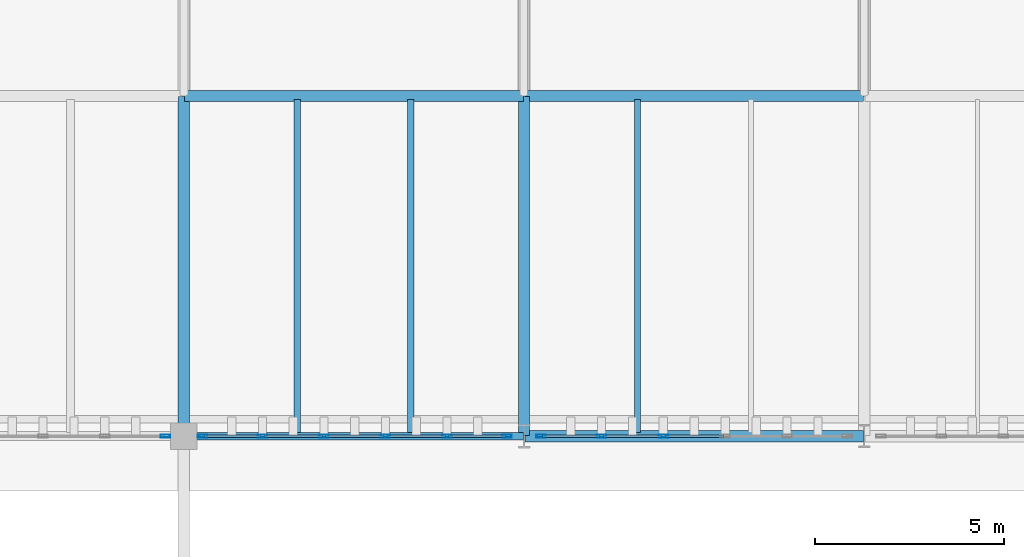
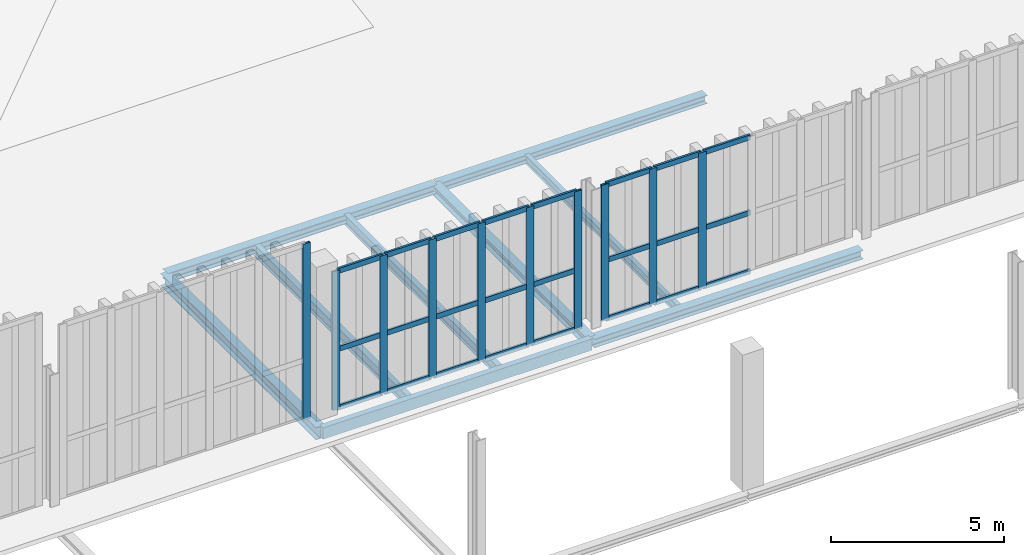
# One storey, part 20 of 196: 34 members, 9 beams, 3 elements without a shape of their own.
"""IFC4 building model written with IfcOpenShell, lengths in metres."""

from ifc_helpers import new_model, si_unit, direction, frame, origin, origin_2d, place, context, subcontext, project, spatial, hollow_rectangle, i_section, extrude, material, layer, layer_set, material_profile, profile_set, type_object, element, aggregate, save


model = new_model("IFC4")

# Units and contexts
model_context = context("Model", 3, precision=1e-05, world=origin(), true_north=direction((0.0, 1.0)))
body_context = subcontext(model_context, "Body", "Model", "MODEL_VIEW")
ifc_project = project(units=[si_unit("LENGTHUNIT", "METRE"), si_unit("AREAUNIT", "SQUARE_METRE"), si_unit("VOLUMEUNIT", "CUBIC_METRE"), si_unit("PLANEANGLEUNIT", "RADIAN"), si_unit("MASSUNIT", "GRAM", prefix="KILO")], contexts=[model_context])

# Site, building, storey
site_placement = place(None, origin())
site = spatial("IfcSite", under=ifc_project, at=site_placement, CompositionType="ELEMENT")
building_placement = place(site_placement, origin())
building = spatial("IfcBuilding", under=site, at=building_placement, Name="Barlavento Convention Centre", CompositionType="ELEMENT")
storey_placement = place(building_placement, frame((0.0, 0.0, 18.0)))
storey = spatial("IfcBuildingStorey", under=building, at=storey_placement, Name="L03", CompositionType="ELEMENT", Elevation=18.0)

# Curtain wall, member
ifc_material_1 = material(Name="Powder-coated aluminium and Low-E glass", Category="aluminium")
ifc_layer = layer(ifc_material_1, 0.18994140625)
ifc_layer_set = layer_set([ifc_layer], Name="ARC-CW-CONG-L02")
curtain_wall_type = type_object("IfcCurtainWallType", Name="ARC-CW-CONG-L02", PredefinedType="NOTDEFINED", material=ifc_layer_set)
curtain_wall_1_placement = place(storey_placement, origin())
curtain_wall_1 = element("IfcCurtainWall", 1, at=curtain_wall_1_placement, inside=storey, type_object=curtain_wall_type, Name="L03 unitised curtain wall CW02", PredefinedType="NOTDEFINED")
ifc_material_2 = material(Name="Powder-coated aluminium", Category="aluminium")
ifc_material_profile_1 = material_profile(ifc_material_2, hollow_rectangle(XDim=0.074951171875, YDim=0.25, WallThickness=0.006103515625, at=origin_2d()), Name="AL-MULL 75x250x6")
ifc_profile_set_1 = profile_set([ifc_material_profile_1], Name="Powder-coated aluminium")
member_type_1 = type_object("IfcMemberType", Name="ARC-CWM-75X250", PredefinedType="MULLION", material=ifc_profile_set_1)
member_1_placement = place(storey_placement, frame((17.507568359375, 54.0, 0.10009765625), z_axis=(0.0, 0.0, 1.0), x_axis=(0.0, 1.0, 0.0)))
member_1 = element("IfcMember", 2, at=member_1_placement, type_object=member_type_1, Name="CW02 mullion 6", PredefinedType="MULLION", context=body_context, shape_type="SweptSolid", body=[
    extrude(hollow_rectangle(XDim=0.074951171875, YDim=0.25, WallThickness=0.006103515625, at=origin_2d()), origin(), (0.0, 0.0, 1.0), 6.19287109375),
])
aggregate(curtain_wall_1, [member_1])

# Curtain wall, members
curtain_wall_2_placement = place(storey_placement, origin())
curtain_wall_2 = element("IfcCurtainWall", 3, at=curtain_wall_2_placement, inside=storey, type_object=curtain_wall_type, Name="L03 unitised curtain wall CW02", PredefinedType="NOTDEFINED")
member_2_placement = place(storey_placement, frame((18.492431640625, 54.0, 0.10009765625), z_axis=(0.0, 0.0, 1.0), x_axis=(0.0, 1.0, 0.0)))
member_2 = element("IfcMember", 4, at=member_2_placement, type_object=member_type_1, Name="CW02 mullion 1", PredefinedType="MULLION", context=body_context, shape_type="SweptSolid", body=[
    extrude(hollow_rectangle(XDim=0.074951171875, YDim=0.25, WallThickness=0.006103515625, at=origin_2d()), origin(), (0.0, 0.0, 1.0), 4.8759765625),
])
member_3_placement = place(storey_placement, frame((20.0810546875, 54.0, 0.10009765625), z_axis=(0.0, 0.0, 1.0), x_axis=(0.0, 1.0, 0.0)))
member_3 = element("IfcMember", 5, at=member_3_placement, type_object=member_type_1, Name="CW02 mullion 2", PredefinedType="MULLION", context=body_context, shape_type="SweptSolid", body=[
    extrude(hollow_rectangle(XDim=0.074951171875, YDim=0.25, WallThickness=0.006103515625, at=origin_2d()), origin(), (0.0, 0.0, 1.0), 4.8759765625),
])
member_4_placement = place(storey_placement, frame((21.70703125, 54.0, 0.10009765625), z_axis=(0.0, 0.0, 1.0), x_axis=(0.0, 1.0, 0.0)))
member_4 = element("IfcMember", 6, at=member_4_placement, type_object=member_type_1, Name="CW02 mullion 3", PredefinedType="MULLION", context=body_context, shape_type="SweptSolid", body=[
    extrude(hollow_rectangle(XDim=0.074951171875, YDim=0.25, WallThickness=0.006103515625, at=origin_2d()), origin(), (0.0, 0.0, 1.0), 4.8759765625),
])
member_5_placement = place(storey_placement, frame((23.3330078125, 54.0, 0.10009765625), z_axis=(0.0, 0.0, 1.0), x_axis=(0.0, 1.0, 0.0)))
member_5 = element("IfcMember", 7, at=member_5_placement, type_object=member_type_1, Name="CW02 mullion 4", PredefinedType="MULLION", context=body_context, shape_type="SweptSolid", body=[
    extrude(hollow_rectangle(XDim=0.074951171875, YDim=0.25, WallThickness=0.006103515625, at=origin_2d()), origin(), (0.0, 0.0, 1.0), 4.8759765625),
])
member_6_placement = place(storey_placement, frame((24.958984375, 54.0, 0.10009765625), z_axis=(0.0, 0.0, 1.0), x_axis=(0.0, 1.0, 0.0)))
member_6 = element("IfcMember", 8, at=member_6_placement, type_object=member_type_1, Name="CW02 mullion 5", PredefinedType="MULLION", context=body_context, shape_type="SweptSolid", body=[
    extrude(hollow_rectangle(XDim=0.074951171875, YDim=0.25, WallThickness=0.006103515625, at=origin_2d()), origin(), (0.0, 0.0, 1.0), 4.8759765625),
])
member_7_placement = place(storey_placement, frame((26.547607421875, 54.0, 0.10009765625), z_axis=(0.0, 0.0, 1.0), x_axis=(0.0, 1.0, 0.0)))
member_7 = element("IfcMember", 9, at=member_7_placement, type_object=member_type_1, Name="CW02 mullion 6", PredefinedType="MULLION", context=body_context, shape_type="SweptSolid", body=[
    extrude(hollow_rectangle(XDim=0.074951171875, YDim=0.25, WallThickness=0.006103515625, at=origin_2d()), origin(), (0.0, 0.0, 1.0), 4.8759765625),
])

curtain_wall_3_placement = place(storey_placement, origin())
curtain_wall_3 = element("IfcCurtainWall", 10, at=curtain_wall_3_placement, inside=storey, type_object=curtain_wall_type, Name="L03 unitised curtain wall CW02", PredefinedType="NOTDEFINED")
member_8_placement = place(storey_placement, frame((27.452392578125, 54.0, 0.10009765625), z_axis=(0.0, 0.0, 1.0), x_axis=(0.0, 1.0, 0.0)))
member_8 = element("IfcMember", 11, at=member_8_placement, type_object=member_type_1, Name="CW02 mullion 1", PredefinedType="MULLION", context=body_context, shape_type="SweptSolid", body=[
    extrude(hollow_rectangle(XDim=0.074951171875, YDim=0.25, WallThickness=0.006103515625, at=origin_2d()), origin(), (0.0, 0.0, 1.0), 4.788818359375),
])
member_9_placement = place(storey_placement, frame((29.051025390625, 54.0, 0.10009765625), z_axis=(0.0, 0.0, 1.0), x_axis=(0.0, 1.0, 0.0)))
member_9 = element("IfcMember", 12, at=member_9_placement, type_object=member_type_1, Name="CW02 mullion 2", PredefinedType="MULLION", context=body_context, shape_type="SweptSolid", body=[
    extrude(hollow_rectangle(XDim=0.074951171875, YDim=0.25, WallThickness=0.006103515625, at=origin_2d()), origin(), (0.0, 0.0, 1.0), 4.788818359375),
])
member_10_placement = place(storey_placement, frame((30.68701171875, 54.0, 0.10009765625), z_axis=(0.0, 0.0, 1.0), x_axis=(0.0, 1.0, 0.0)))
member_10 = element("IfcMember", 13, at=member_10_placement, type_object=member_type_1, Name="CW02 mullion 3", PredefinedType="MULLION", context=body_context, shape_type="SweptSolid", body=[
    extrude(hollow_rectangle(XDim=0.074951171875, YDim=0.25, WallThickness=0.006103515625, at=origin_2d()), origin(), (0.0, 0.0, 1.0), 4.788818359375),
])

# Member
ifc_material_profile_2 = material_profile(ifc_material_2, hollow_rectangle(XDim=0.070068359375, YDim=0.179931640625, WallThickness=0.0048828125, at=origin_2d()), Name="AL-TRAN 70x180x5")
ifc_profile_set_2 = profile_set([ifc_material_profile_2], Name="Powder-coated aluminium")
member_type_2 = type_object("IfcMemberType", Name="ARC-CWT-70X180", PredefinedType="USERDEFINED", material=ifc_profile_set_2)
member_11_placement = place(storey_placement, frame((18.530029296875, 54.0, 0.135009765625), z_axis=(1.0, 0.0, 0.0), x_axis=(0.0, 1.0, 0.0)))
member_11 = element("IfcMember", 14, at=member_11_placement, type_object=member_type_2, Name="CW02 transom 1.1", ObjectType="TRANSOM", PredefinedType="USERDEFINED", context=body_context, shape_type="SweptSolid", body=[
    extrude(hollow_rectangle(XDim=0.070068359375, YDim=0.179931640625, WallThickness=0.0048828125, at=origin_2d()), origin(), (0.0, 0.0, 1.0), 1.513427734375),
])

member_12_placement = place(storey_placement, frame((18.530029296875, 54.0, 2.199951171875), z_axis=(1.0, 0.0, 0.0), x_axis=(0.0, 1.0, 0.0)))
member_12 = element("IfcMember", 15, at=member_12_placement, type_object=member_type_2, Name="CW02 transom 1.2", ObjectType="TRANSOM", PredefinedType="USERDEFINED", context=body_context, shape_type="SweptSolid", body=[
    extrude(hollow_rectangle(XDim=0.070068359375, YDim=0.179931640625, WallThickness=0.0048828125, at=origin_2d()), origin(), (0.0, 0.0, 1.0), 1.513427734375),
])

member_13_placement = place(storey_placement, frame((18.530029296875, 54.0, 4.94091796875), z_axis=(1.0, 0.0, 0.0), x_axis=(0.0, 1.0, 0.0)))
member_13 = element("IfcMember", 16, at=member_13_placement, type_object=member_type_2, Name="CW02 transom 1.3", ObjectType="TRANSOM", PredefinedType="USERDEFINED", context=body_context, shape_type="SweptSolid", body=[
    extrude(hollow_rectangle(XDim=0.070068359375, YDim=0.179931640625, WallThickness=0.0048828125, at=origin_2d()), origin(), (0.0, 0.0, 1.0), 1.513427734375),
])

member_14_placement = place(storey_placement, frame((20.118408203125, 54.0, 0.135009765625), z_axis=(1.0, 0.0, 0.0), x_axis=(0.0, 1.0, 0.0)))
member_14 = element("IfcMember", 17, at=member_14_placement, type_object=member_type_2, Name="CW02 transom 2.1", ObjectType="TRANSOM", PredefinedType="USERDEFINED", context=body_context, shape_type="SweptSolid", body=[
    extrude(hollow_rectangle(XDim=0.070068359375, YDim=0.179931640625, WallThickness=0.0048828125, at=origin_2d()), origin(), (0.0, 0.0, 1.0), 1.551025390625),
])

member_15_placement = place(storey_placement, frame((20.118408203125, 54.0, 2.199951171875), z_axis=(1.0, 0.0, 0.0), x_axis=(0.0, 1.0, 0.0)))
member_15 = element("IfcMember", 18, at=member_15_placement, type_object=member_type_2, Name="CW02 transom 2.2", ObjectType="TRANSOM", PredefinedType="USERDEFINED", context=body_context, shape_type="SweptSolid", body=[
    extrude(hollow_rectangle(XDim=0.070068359375, YDim=0.179931640625, WallThickness=0.0048828125, at=origin_2d()), origin(), (0.0, 0.0, 1.0), 1.551025390625),
])

member_16_placement = place(storey_placement, frame((20.118408203125, 54.0, 4.94091796875), z_axis=(1.0, 0.0, 0.0), x_axis=(0.0, 1.0, 0.0)))
member_16 = element("IfcMember", 19, at=member_16_placement, type_object=member_type_2, Name="CW02 transom 2.3", ObjectType="TRANSOM", PredefinedType="USERDEFINED", context=body_context, shape_type="SweptSolid", body=[
    extrude(hollow_rectangle(XDim=0.070068359375, YDim=0.179931640625, WallThickness=0.0048828125, at=origin_2d()), origin(), (0.0, 0.0, 1.0), 1.551025390625),
])

member_17_placement = place(storey_placement, frame((21.744384765625, 54.0, 0.135009765625), z_axis=(1.0, 0.0, 0.0), x_axis=(0.0, 1.0, 0.0)))
member_17 = element("IfcMember", 20, at=member_17_placement, type_object=member_type_2, Name="CW02 transom 3.1", ObjectType="TRANSOM", PredefinedType="USERDEFINED", context=body_context, shape_type="SweptSolid", body=[
    extrude(hollow_rectangle(XDim=0.070068359375, YDim=0.179931640625, WallThickness=0.0048828125, at=origin_2d()), origin(), (0.0, 0.0, 1.0), 1.551025390625),
])

member_18_placement = place(storey_placement, frame((21.744384765625, 54.0, 2.199951171875), z_axis=(1.0, 0.0, 0.0), x_axis=(0.0, 1.0, 0.0)))
member_18 = element("IfcMember", 21, at=member_18_placement, type_object=member_type_2, Name="CW02 transom 3.2", ObjectType="TRANSOM", PredefinedType="USERDEFINED", context=body_context, shape_type="SweptSolid", body=[
    extrude(hollow_rectangle(XDim=0.070068359375, YDim=0.179931640625, WallThickness=0.0048828125, at=origin_2d()), origin(), (0.0, 0.0, 1.0), 1.551025390625),
])

member_19_placement = place(storey_placement, frame((21.744384765625, 54.0, 4.94091796875), z_axis=(1.0, 0.0, 0.0), x_axis=(0.0, 1.0, 0.0)))
member_19 = element("IfcMember", 22, at=member_19_placement, type_object=member_type_2, Name="CW02 transom 3.3", ObjectType="TRANSOM", PredefinedType="USERDEFINED", context=body_context, shape_type="SweptSolid", body=[
    extrude(hollow_rectangle(XDim=0.070068359375, YDim=0.179931640625, WallThickness=0.0048828125, at=origin_2d()), origin(), (0.0, 0.0, 1.0), 1.551025390625),
])

member_20_placement = place(storey_placement, frame((23.37060546875, 54.0, 0.135009765625), z_axis=(1.0, 0.0, 0.0), x_axis=(0.0, 1.0, 0.0)))
member_20 = element("IfcMember", 23, at=member_20_placement, type_object=member_type_2, Name="CW02 transom 4.1", ObjectType="TRANSOM", PredefinedType="USERDEFINED", context=body_context, shape_type="SweptSolid", body=[
    extrude(hollow_rectangle(XDim=0.070068359375, YDim=0.179931640625, WallThickness=0.0048828125, at=origin_2d()), origin(), (0.0, 0.0, 1.0), 1.55078125),
])

member_21_placement = place(storey_placement, frame((23.37060546875, 54.0, 2.199951171875), z_axis=(1.0, 0.0, 0.0), x_axis=(0.0, 1.0, 0.0)))
member_21 = element("IfcMember", 24, at=member_21_placement, type_object=member_type_2, Name="CW02 transom 4.2", ObjectType="TRANSOM", PredefinedType="USERDEFINED", context=body_context, shape_type="SweptSolid", body=[
    extrude(hollow_rectangle(XDim=0.070068359375, YDim=0.179931640625, WallThickness=0.0048828125, at=origin_2d()), origin(), (0.0, 0.0, 1.0), 1.55078125),
])

member_22_placement = place(storey_placement, frame((23.37060546875, 54.0, 4.94091796875), z_axis=(1.0, 0.0, 0.0), x_axis=(0.0, 1.0, 0.0)))
member_22 = element("IfcMember", 25, at=member_22_placement, type_object=member_type_2, Name="CW02 transom 4.3", ObjectType="TRANSOM", PredefinedType="USERDEFINED", context=body_context, shape_type="SweptSolid", body=[
    extrude(hollow_rectangle(XDim=0.070068359375, YDim=0.179931640625, WallThickness=0.0048828125, at=origin_2d()), origin(), (0.0, 0.0, 1.0), 1.55078125),
])

member_23_placement = place(storey_placement, frame((24.99658203125, 54.0, 0.135009765625), z_axis=(1.0, 0.0, 0.0), x_axis=(0.0, 1.0, 0.0)))
member_23 = element("IfcMember", 26, at=member_23_placement, type_object=member_type_2, Name="CW02 transom 5.1", ObjectType="TRANSOM", PredefinedType="USERDEFINED", context=body_context, shape_type="SweptSolid", body=[
    extrude(hollow_rectangle(XDim=0.070068359375, YDim=0.179931640625, WallThickness=0.0048828125, at=origin_2d()), origin(), (0.0, 0.0, 1.0), 1.513427734375),
])

member_24_placement = place(storey_placement, frame((24.99658203125, 54.0, 2.199951171875), z_axis=(1.0, 0.0, 0.0), x_axis=(0.0, 1.0, 0.0)))
member_24 = element("IfcMember", 27, at=member_24_placement, type_object=member_type_2, Name="CW02 transom 5.2", ObjectType="TRANSOM", PredefinedType="USERDEFINED", context=body_context, shape_type="SweptSolid", body=[
    extrude(hollow_rectangle(XDim=0.070068359375, YDim=0.179931640625, WallThickness=0.0048828125, at=origin_2d()), origin(), (0.0, 0.0, 1.0), 1.513427734375),
])

member_25_placement = place(storey_placement, frame((24.99658203125, 54.0, 4.94091796875), z_axis=(1.0, 0.0, 0.0), x_axis=(0.0, 1.0, 0.0)))
member_25 = element("IfcMember", 28, at=member_25_placement, type_object=member_type_2, Name="CW02 transom 5.3", ObjectType="TRANSOM", PredefinedType="USERDEFINED", context=body_context, shape_type="SweptSolid", body=[
    extrude(hollow_rectangle(XDim=0.070068359375, YDim=0.179931640625, WallThickness=0.0048828125, at=origin_2d()), origin(), (0.0, 0.0, 1.0), 1.513427734375),
])

aggregate(curtain_wall_2, [member_2, member_3, member_4, member_5, member_6, member_7, member_11, member_12, member_13, member_14, member_15, member_16, member_17, member_18, member_19, member_20, member_21, member_22, member_23, member_24, member_25])

member_26_placement = place(storey_placement, frame((27.489990234375, 54.0, 0.135009765625), z_axis=(1.0, 0.0, 0.0), x_axis=(0.0, 1.0, 0.0)))
member_26 = element("IfcMember", 29, at=member_26_placement, type_object=member_type_2, Name="CW02 transom 1.1", ObjectType="TRANSOM", PredefinedType="USERDEFINED", context=body_context, shape_type="SweptSolid", body=[
    extrude(hollow_rectangle(XDim=0.070068359375, YDim=0.179931640625, WallThickness=0.0048828125, at=origin_2d()), origin(), (0.0, 0.0, 1.0), 1.5234375),
])

member_27_placement = place(storey_placement, frame((27.489990234375, 54.0, 2.199951171875), z_axis=(1.0, 0.0, 0.0), x_axis=(0.0, 1.0, 0.0)))
member_27 = element("IfcMember", 30, at=member_27_placement, type_object=member_type_2, Name="CW02 transom 1.2", ObjectType="TRANSOM", PredefinedType="USERDEFINED", context=body_context, shape_type="SweptSolid", body=[
    extrude(hollow_rectangle(XDim=0.070068359375, YDim=0.179931640625, WallThickness=0.0048828125, at=origin_2d()), origin(), (0.0, 0.0, 1.0), 1.5234375),
])

member_28_placement = place(storey_placement, frame((27.489990234375, 54.0, 4.85400390625), z_axis=(1.0, 0.0, 0.0), x_axis=(0.0, 1.0, 0.0)))
member_28 = element("IfcMember", 31, at=member_28_placement, type_object=member_type_2, Name="CW02 transom 1.3", ObjectType="TRANSOM", PredefinedType="USERDEFINED", context=body_context, shape_type="SweptSolid", body=[
    extrude(hollow_rectangle(XDim=0.070068359375, YDim=0.179931640625, WallThickness=0.0048828125, at=origin_2d()), origin(), (0.0, 0.0, 1.0), 1.5234375),
])

member_29_placement = place(storey_placement, frame((29.08837890625, 54.0, 0.135009765625), z_axis=(1.0, 0.0, 0.0), x_axis=(0.0, 1.0, 0.0)))
member_29 = element("IfcMember", 32, at=member_29_placement, type_object=member_type_2, Name="CW02 transom 2.1", ObjectType="TRANSOM", PredefinedType="USERDEFINED", context=body_context, shape_type="SweptSolid", body=[
    extrude(hollow_rectangle(XDim=0.070068359375, YDim=0.179931640625, WallThickness=0.0048828125, at=origin_2d()), origin(), (0.0, 0.0, 1.0), 1.56103515625),
])

member_30_placement = place(storey_placement, frame((29.08837890625, 54.0, 2.199951171875), z_axis=(1.0, 0.0, 0.0), x_axis=(0.0, 1.0, 0.0)))
member_30 = element("IfcMember", 33, at=member_30_placement, type_object=member_type_2, Name="CW02 transom 2.2", ObjectType="TRANSOM", PredefinedType="USERDEFINED", context=body_context, shape_type="SweptSolid", body=[
    extrude(hollow_rectangle(XDim=0.070068359375, YDim=0.179931640625, WallThickness=0.0048828125, at=origin_2d()), origin(), (0.0, 0.0, 1.0), 1.56103515625),
])

member_31_placement = place(storey_placement, frame((29.08837890625, 54.0, 4.85400390625), z_axis=(1.0, 0.0, 0.0), x_axis=(0.0, 1.0, 0.0)))
member_31 = element("IfcMember", 34, at=member_31_placement, type_object=member_type_2, Name="CW02 transom 2.3", ObjectType="TRANSOM", PredefinedType="USERDEFINED", context=body_context, shape_type="SweptSolid", body=[
    extrude(hollow_rectangle(XDim=0.070068359375, YDim=0.179931640625, WallThickness=0.0048828125, at=origin_2d()), origin(), (0.0, 0.0, 1.0), 1.56103515625),
])

member_32_placement = place(storey_placement, frame((30.724609375, 54.0, 0.135009765625), z_axis=(1.0, 0.0, 0.0), x_axis=(0.0, 1.0, 0.0)))
member_32 = element("IfcMember", 35, at=member_32_placement, type_object=member_type_2, Name="CW02 transom 3.1", ObjectType="TRANSOM", PredefinedType="USERDEFINED", context=body_context, shape_type="SweptSolid", body=[
    extrude(hollow_rectangle(XDim=0.070068359375, YDim=0.179931640625, WallThickness=0.0048828125, at=origin_2d()), origin(), (0.0, 0.0, 1.0), 1.560791015625),
])

member_33_placement = place(storey_placement, frame((30.724609375, 54.0, 2.199951171875), z_axis=(1.0, 0.0, 0.0), x_axis=(0.0, 1.0, 0.0)))
member_33 = element("IfcMember", 36, at=member_33_placement, type_object=member_type_2, Name="CW02 transom 3.2", ObjectType="TRANSOM", PredefinedType="USERDEFINED", context=body_context, shape_type="SweptSolid", body=[
    extrude(hollow_rectangle(XDim=0.070068359375, YDim=0.179931640625, WallThickness=0.0048828125, at=origin_2d()), origin(), (0.0, 0.0, 1.0), 1.560791015625),
])

member_34_placement = place(storey_placement, frame((30.724609375, 54.0, 4.85400390625), z_axis=(1.0, 0.0, 0.0), x_axis=(0.0, 1.0, 0.0)))
member_34 = element("IfcMember", 37, at=member_34_placement, type_object=member_type_2, Name="CW02 transom 3.3", ObjectType="TRANSOM", PredefinedType="USERDEFINED", context=body_context, shape_type="SweptSolid", body=[
    extrude(hollow_rectangle(XDim=0.070068359375, YDim=0.179931640625, WallThickness=0.0048828125, at=origin_2d()), origin(), (0.0, 0.0, 1.0), 1.560791015625),
])

aggregate(curtain_wall_3, [member_8, member_9, member_10, member_26, member_27, member_28, member_29, member_30, member_31, member_32, member_33, member_34])

# Beams
ifc_material_3 = material(Name="Steel S355", Category="steel")
ifc_material_profile_3 = material_profile(ifc_material_3, i_section(OverallWidth=0.14990234375, OverallDepth=0.300048828125, WebThickness=0.007080078125, FlangeThickness=0.0107421875, FilletRadius=0.014892578125, at=origin_2d()), Name="IPE 300")
ifc_profile_set_3 = profile_set([ifc_material_profile_3], Name="Steel S355")
beam_type_1 = type_object("IfcBeamType", Name="STR-BM-JST-IPE300", PredefinedType="JOIST", material=ifc_profile_set_3)
beam_1_placement = place(storey_placement, frame((30.0, 54.094970703125, -0.4951171875), z_axis=(0.0, 1.0, 0.0), x_axis=(-1.0, 0.0, 0.0)))
element("IfcBeam", 38, at=beam_1_placement, inside=storey, type_object=beam_type_1, Name="L03 composite floor joist SJ07", PredefinedType="JOIST", context=body_context, shape_type="SweptSolid", body=[
    extrude(i_section(OverallWidth=0.14990234375, OverallDepth=0.300048828125, WebThickness=0.007080078125, FlangeThickness=0.0107421875, FilletRadius=0.014892578125, at=origin_2d()), origin(), (0.0, 0.0, 1.0), 8.81005859375),
])
ifc_material_profile_4 = material_profile(ifc_material_3, i_section(OverallWidth=0.169921875, OverallDepth=0.360107421875, WebThickness=0.008056640625, FlangeThickness=0.0126953125, FilletRadius=0.01806640625, at=origin_2d()), Name="IPE 360")
ifc_profile_set_4 = profile_set([ifc_material_profile_4], Name="Steel S355")
beam_type_2 = type_object("IfcBeamType", Name="STR-BM-JST-IPE360", PredefinedType="JOIST", material=ifc_profile_set_4)
beam_2_placement = place(storey_placement, frame((24.0, 54.094970703125, -0.52490234375), z_axis=(0.0, 1.0, 0.0), x_axis=(-1.0, 0.0, 0.0)))
element("IfcBeam", 39, at=beam_2_placement, inside=storey, type_object=beam_type_2, Name="L03 composite floor joist SJ05", PredefinedType="JOIST", context=body_context, shape_type="SweptSolid", body=[
    extrude(i_section(OverallWidth=0.169921875, OverallDepth=0.360107421875, WebThickness=0.008056640625, FlangeThickness=0.0126953125, FilletRadius=0.01806640625, at=origin_2d()), origin(), (0.0, 0.0, 1.0), 8.81005859375),
])
ifc_material_profile_5 = material_profile(ifc_material_3, i_section(OverallWidth=0.179931640625, OverallDepth=0.39990234375, WebThickness=0.008544921875, FlangeThickness=0.013427734375, FilletRadius=0.02099609375, at=origin_2d()), Name="IPE 400")
ifc_profile_set_5 = profile_set([ifc_material_profile_5], Name="Steel S355")
beam_type_3 = type_object("IfcBeamType", Name="STR-BM-JST-IPE400", PredefinedType="JOIST", material=ifc_profile_set_5)
beam_3_placement = place(storey_placement, frame((21.0, 54.094970703125, -0.544921875), z_axis=(0.0, 1.0, 0.0), x_axis=(-1.0, 0.0, 0.0)))
element("IfcBeam", 40, at=beam_3_placement, inside=storey, type_object=beam_type_3, Name="L03 composite floor joist SJ04", PredefinedType="JOIST", context=body_context, shape_type="SweptSolid", body=[
    extrude(i_section(OverallWidth=0.179931640625, OverallDepth=0.39990234375, WebThickness=0.008544921875, FlangeThickness=0.013427734375, FilletRadius=0.02099609375, at=origin_2d()), origin(), (0.0, 0.0, 1.0), 8.81005859375),
])
ifc_material_profile_6 = material_profile(ifc_material_3, i_section(OverallWidth=0.300048828125, OverallDepth=0.330078125, WebThickness=0.009521484375, FlangeThickness=0.0166015625, FilletRadius=0.027099609375, at=origin_2d()), Name="HEA 340")
ifc_profile_set_6 = profile_set([ifc_material_profile_6], Name="Steel S355")
beam_type_4 = type_object("IfcBeamType", Name="STR-BM-PRI-HEA340", PredefinedType="BEAM", material=ifc_profile_set_6)
beam_4_placement = place(storey_placement, frame((27.0, 54.02001953125, -0.510009765625), z_axis=(0.0, 1.0, 0.0), x_axis=(-1.0, 0.0, 0.0)))
element("IfcBeam", 41, at=beam_4_placement, inside=storey, type_object=beam_type_4, Name="L03 grid girder BG24", PredefinedType="BEAM", context=body_context, shape_type="SweptSolid", body=[
    extrude(i_section(OverallWidth=0.300048828125, OverallDepth=0.330078125, WebThickness=0.009521484375, FlangeThickness=0.0166015625, FilletRadius=0.027099609375, at=origin_2d()), origin(), (0.0, 0.0, 1.0), 8.9599609375),
])
ifc_material_profile_7 = material_profile(ifc_material_3, i_section(OverallWidth=0.300048828125, OverallDepth=0.43994140625, WebThickness=0.011474609375, FlangeThickness=0.02099609375, FilletRadius=0.027099609375, at=origin_2d()), Name="HEA 450")
ifc_profile_set_7 = profile_set([ifc_material_profile_7], Name="Steel S355")
beam_type_5 = type_object("IfcBeamType", Name="STR-BM-PRI-HEA450", PredefinedType="BEAM", material=ifc_profile_set_7)
beam_5_placement = place(storey_placement, frame((18.0, 54.02001953125, -0.56494140625), z_axis=(0.0, 1.0, 0.0), x_axis=(-1.0, 0.0, 0.0)))
element("IfcBeam", 42, at=beam_5_placement, inside=storey, type_object=beam_type_5, Name="L03 grid girder BG21", PredefinedType="BEAM", context=body_context, shape_type="SweptSolid", body=[
    extrude(i_section(OverallWidth=0.300048828125, OverallDepth=0.43994140625, WebThickness=0.011474609375, FlangeThickness=0.02099609375, FilletRadius=0.027099609375, at=origin_2d()), origin(), (0.0, 0.0, 1.0), 8.9599609375),
])
ifc_material_profile_8 = material_profile(ifc_material_3, i_section(OverallWidth=0.300048828125, OverallDepth=0.300048828125, WebThickness=0.010986328125, FlangeThickness=0.01904296875, FilletRadius=0.027099609375, at=origin_2d()), Name="HEB 300")
ifc_profile_set_8 = profile_set([ifc_material_profile_8], Name="Steel S355")
beam_type_6 = type_object("IfcBeamType", Name="STR-BM-PRI-HEB300", PredefinedType="BEAM", material=ifc_profile_set_8)
beam_6_placement = place(storey_placement, frame((27.02001953125, 63.0, -0.4951171875), z_axis=(1.0, 0.0, 0.0), x_axis=(0.0, 1.0, 0.0)))
element("IfcBeam", 43, at=beam_6_placement, inside=storey, type_object=beam_type_6, Name="L03 primary girder BG14", PredefinedType="BEAM", context=body_context, shape_type="SweptSolid", body=[
    extrude(i_section(OverallWidth=0.300048828125, OverallDepth=0.300048828125, WebThickness=0.010986328125, FlangeThickness=0.01904296875, FilletRadius=0.027099609375, at=origin_2d()), origin(), (0.0, 0.0, 1.0), 8.9599609375),
])
ifc_material_profile_9 = material_profile(ifc_material_3, i_section(OverallWidth=0.300048828125, OverallDepth=0.320068359375, WebThickness=0.011474609375, FlangeThickness=0.0205078125, FilletRadius=0.027099609375, at=origin_2d()), Name="HEB 320")
ifc_profile_set_9 = profile_set([ifc_material_profile_9], Name="Steel S355")
beam_type_7 = type_object("IfcBeamType", Name="STR-BM-PRI-HEB320", PredefinedType="BEAM", material=ifc_profile_set_9)
beam_7_placement = place(storey_placement, frame((18.02001953125, 63.0, -0.5048828125), z_axis=(1.0, 0.0, 0.0), x_axis=(0.0, 1.0, 0.0)))
element("IfcBeam", 44, at=beam_7_placement, inside=storey, type_object=beam_type_7, Name="L03 primary girder BG13", PredefinedType="BEAM", context=body_context, shape_type="SweptSolid", body=[
    extrude(i_section(OverallWidth=0.300048828125, OverallDepth=0.320068359375, WebThickness=0.011474609375, FlangeThickness=0.0205078125, FilletRadius=0.027099609375, at=origin_2d()), origin(), (0.0, 0.0, 1.0), 8.9599609375),
])
ifc_material_profile_10 = material_profile(ifc_material_3, i_section(OverallWidth=0.300048828125, OverallDepth=0.31005859375, WebThickness=0.009033203125, FlangeThickness=0.015380859375, FilletRadius=0.027099609375, at=origin_2d()), Name="HEA 320")
ifc_profile_set_10 = profile_set([ifc_material_profile_10], Name="Steel S355")
beam_type_8 = type_object("IfcBeamType", Name="STR-BM-SPN-HEA320", PredefinedType="SPANDREL", material=ifc_profile_set_10)
beam_8_placement = place(storey_placement, frame((27.02001953125, 54.0, -0.5), z_axis=(1.0, 0.0, 0.0), x_axis=(0.0, 1.0, 0.0)))
element("IfcBeam", 45, at=beam_8_placement, inside=storey, type_object=beam_type_8, Name="L03 primary girder SP01", PredefinedType="SPANDREL", context=body_context, shape_type="SweptSolid", body=[
    extrude(i_section(OverallWidth=0.300048828125, OverallDepth=0.31005859375, WebThickness=0.009033203125, FlangeThickness=0.015380859375, FilletRadius=0.027099609375, at=origin_2d()), origin(), (0.0, 0.0, 1.0), 8.9599609375),
])
ifc_material_profile_11 = material_profile(ifc_material_3, hollow_rectangle(XDim=0.199951171875, YDim=0.39990234375, WallThickness=0.01611328125, at=origin_2d()), Name="RHS 400x200x16.0")
ifc_profile_set_11 = profile_set([ifc_material_profile_11], Name="Steel S355")
beam_type_9 = type_object("IfcBeamType", Name="STR-BM-SPN-RHS400", PredefinedType="SPANDREL", material=ifc_profile_set_11)
beam_9_placement = place(storey_placement, frame((18.02001953125, 54.0, -0.544921875), z_axis=(1.0, 0.0, 0.0), x_axis=(0.0, 1.0, 0.0)))
element("IfcBeam", 46, at=beam_9_placement, inside=storey, type_object=beam_type_9, Name="L03 primary girder SP06", PredefinedType="SPANDREL", context=body_context, shape_type="SweptSolid", body=[
    extrude(hollow_rectangle(XDim=0.199951171875, YDim=0.39990234375, WallThickness=0.01611328125, at=origin_2d()), origin(), (0.0, 0.0, 1.0), 8.9599609375),
])

save(model, "model.ifc")
